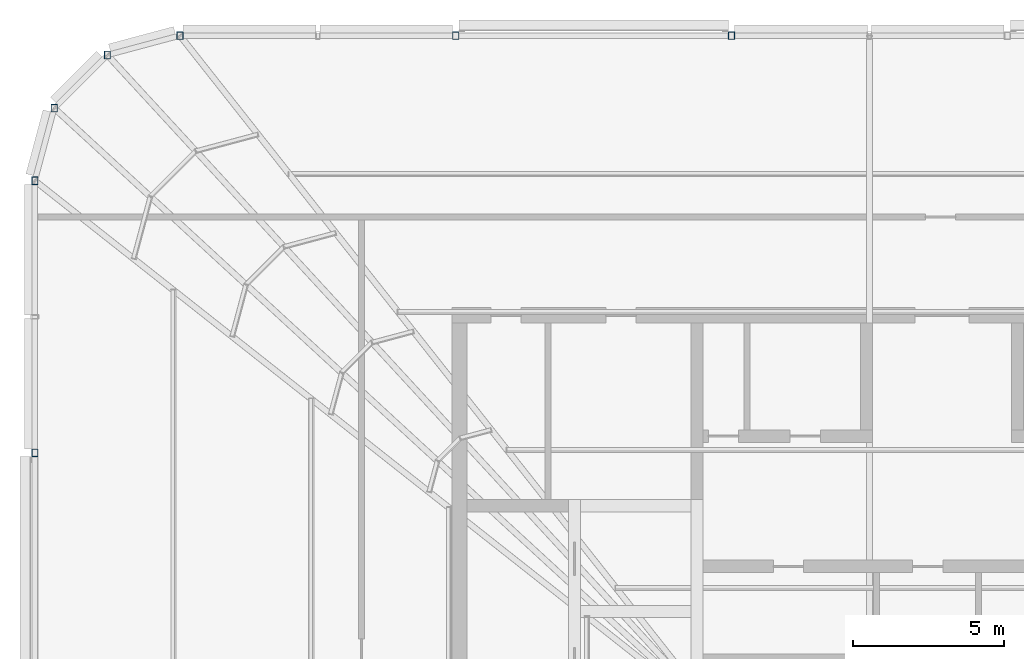
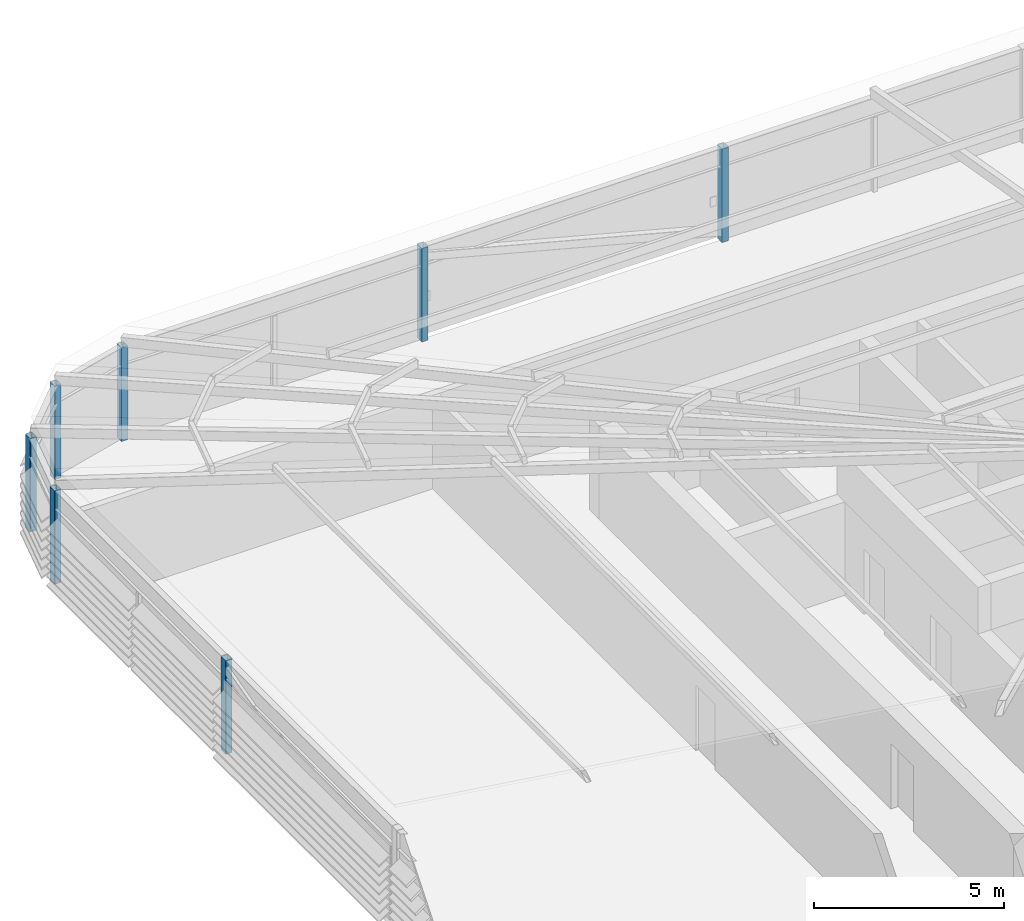
# One storey, part 3 of 46: 7 columns.
"""IFC4 building model written with IfcOpenShell, lengths in metres."""

from ifc_helpers import new_model, si_unit, direction, frame, origin, origin_2d, place, context, subcontext, project, spatial, hollow_rectangle, extrude, material, material_profile, profile_set, type_object, element, save


model = new_model("IFC4")

# Units and contexts
model_context = context("Model", 3, precision=1e-05, world=origin(), true_north=direction((0.0, 1.0)))
body_context = subcontext(model_context, "Body", "Model", "MODEL_VIEW")
ifc_project = project(units=[si_unit("LENGTHUNIT", "METRE"), si_unit("AREAUNIT", "SQUARE_METRE"), si_unit("VOLUMEUNIT", "CUBIC_METRE"), si_unit("PLANEANGLEUNIT", "RADIAN"), si_unit("MASSUNIT", "GRAM", prefix="KILO")], contexts=[model_context])

# Site, building, storey
site_placement = place(None, origin())
site = spatial("IfcSite", under=ifc_project, at=site_placement, CompositionType="ELEMENT")
building_placement = place(site_placement, origin())
building = spatial("IfcBuilding", under=site, at=building_placement, Name="Madar Terraces", CompositionType="ELEMENT")
storey_placement = place(building_placement, frame((0.0, 0.0, 317.300048828125)))
storey = spatial("IfcBuildingStorey", under=building, at=storey_placement, Name="L82", CompositionType="ELEMENT", Elevation=317.300048828125)

# Columns
ifc_material = material(Name="Steel ASTM A500 Grade C", Category="steel")
ifc_material_profile = material_profile(ifc_material, hollow_rectangle(XDim=0.203125, YDim=0.25390625, WallThickness=0.009521484375, InnerFilletRadius=0.00439453125, OuterFilletRadius=0.01318359375, at=origin_2d()), Name="HSS10x8x.375")
ifc_profile_set = profile_set([ifc_material_profile], Name="Steel ASTM A500 Grade C")
column_type = type_object("IfcColumnType", Name="CF1 HSS10x8x.375", PredefinedType="COLUMN", material=ifc_profile_set)
for number, where, z_axis, x_axis, name in (
    (1, (24.239990234375, 46.800048828125, 0.0), (0.0, 0.0, 1.0), (1.0, 0.0, 0.0), "Crown frame column CF1"),
    (2, (15.1201171875, 46.800048828125, 0.0), (0.0, 0.0, 1.0), (1.0, 0.0, 0.0), "Crown frame column CF1"),
    (3, (6.0, 46.800048828125, 0.0), (0.0, 0.0, 1.0), (1.0, 0.0, 0.0), "Crown frame column CF1"),
    (4, (3.60009765625, 46.156982421875, 0.0), (0.0, 0.0, 1.0), (1.0, 0.0, 0.0), "Crown frame column CF1"),
    (5, (1.843017578125, 44.39990234375, 0.0), (0.0, 0.0, 1.0), (1.0, 0.0, 0.0), "Crown frame column CF1"),
    (6, (1.199951171875, 42.0, 0.0), (0.0, 0.0, 1.0), (1.0, 0.0, 0.0), "Crown frame column CF1"),
    (7, (1.199951171875, 33.0, 0.0), (0.0, 0.0, 1.0), (1.0, 0.0, 0.0), "Crown frame column CF1"),
):
    element("IfcColumn", number, at=place(storey_placement, frame(where, z_axis=z_axis, x_axis=x_axis)), inside=storey, type_object=column_type, Name=name, PredefinedType="COLUMN", context=body_context, shape_type="SweptSolid", body=[
        extrude(hollow_rectangle(XDim=0.203125, YDim=0.25390625, WallThickness=0.009521484375, InnerFilletRadius=0.00439453125, OuterFilletRadius=0.01318359375, at=origin_2d()), origin(), (0.0, 0.0, 1.0), 3.0),
    ])

save(model, "model.ifc")
